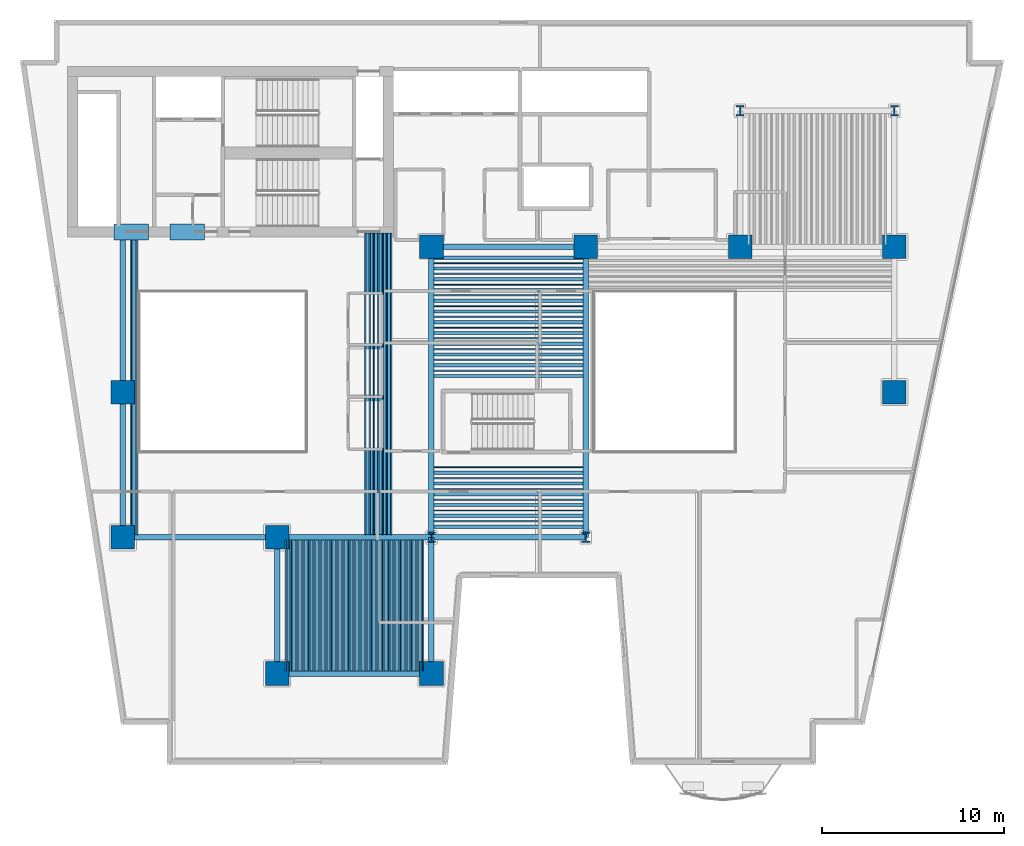
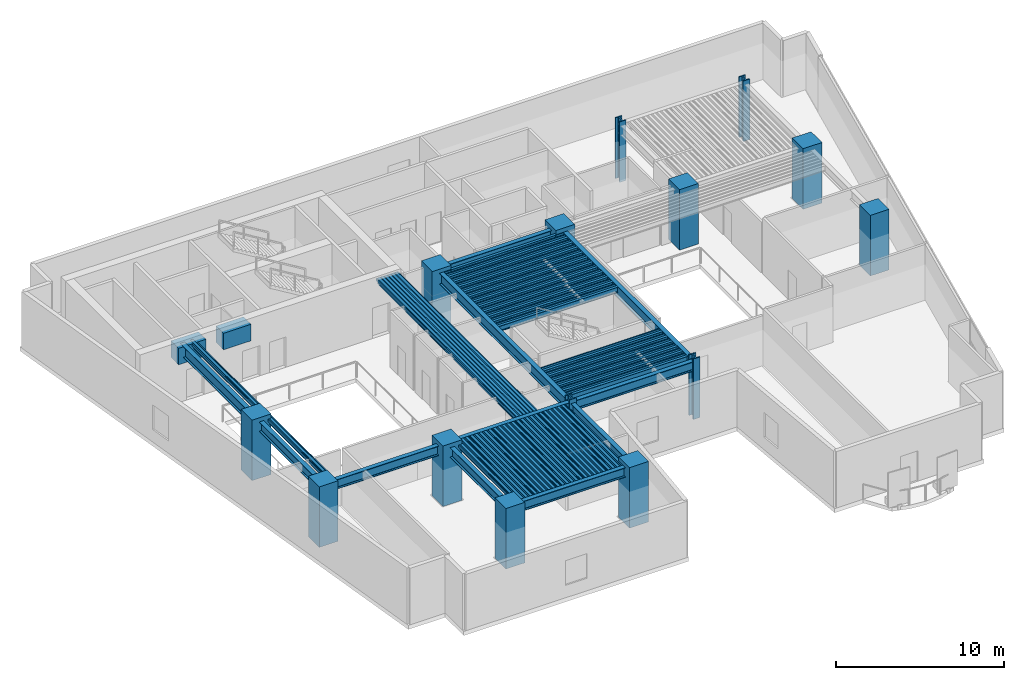
# One storey, part 1 of 11: 113 beams, 14 columns.
"""IFC4 building model written with IfcOpenShell, lengths in metres."""

from ifc_helpers import new_model, si_unit, direction, frame, origin, origin_2d, place, context, subcontext, project, spatial, rectangle, hollow_rectangle, i_section, extrude, material, material_profile, profile_set, type_object, element, save


model = new_model("IFC4")

# Units and contexts
model_context = context("Model", 3, precision=1e-05, world=origin(), true_north=direction((0.0, 1.0)))
body_context = subcontext(model_context, "Body", "Model", "MODEL_VIEW")
ifc_project = project(units=[si_unit("LENGTHUNIT", "METRE"), si_unit("AREAUNIT", "SQUARE_METRE"), si_unit("VOLUMEUNIT", "CUBIC_METRE"), si_unit("PLANEANGLEUNIT", "RADIAN"), si_unit("MASSUNIT", "GRAM", prefix="KILO")], contexts=[model_context])

# Site, building, storey
site_placement = place(None, origin())
site = spatial("IfcSite", under=ifc_project, at=site_placement, CompositionType="ELEMENT")
building_placement = place(site_placement, origin())
building = spatial("IfcBuilding", under=site, at=building_placement, Name="Caeloran Harvest Quay", CompositionType="ELEMENT")
storey_placement = place(building_placement, frame((0.0, 0.0, 53.39990234375)))
storey = spatial("IfcBuildingStorey", under=building, at=storey_placement, Name="L12", CompositionType="ELEMENT", Elevation=53.39990234375)

# Columns
ifc_material_1 = material(Name="Concrete C80/95", Category="concrete")
ifc_material_profile_1 = material_profile(ifc_material_1, rectangle(XDim=1.300048828125, YDim=1.300048828125, at=origin_2d()), Name="RC 1300x1300")
ifc_profile_set_1 = profile_set([ifc_material_profile_1], Name="Concrete C80/95")
column_type_1 = type_object("IfcColumnType", Name="COL-MC-2-RC_1300x1300", PredefinedType="COLUMN", material=ifc_profile_set_1)
for number, where, z_axis, x_axis, name in (
    (1, (8.5, 15.0, 0.0), (0.0, 0.0, 1.0), (1.0, 0.0, 0.0), "L12 Structural Column (8.5, 15.0)"),
    (2, (8.5, 23.0, 0.0), (0.0, 0.0, 1.0), (1.0, 0.0, 0.0), "L12 Structural Column (8.5, 23.0)"),
    (3, (17.0, 7.5, 0.0), (0.0, 0.0, 1.0), (1.0, 0.0, 0.0), "L12 Structural Column (17.0, 7.5)"),
    (4, (17.0, 15.0, 0.0), (0.0, 0.0, 1.0), (1.0, 0.0, 0.0), "L12 Structural Column (17.0, 15.0)"),
    (5, (25.5, 7.5, 0.0), (0.0, 0.0, 1.0), (1.0, 0.0, 0.0), "L12 Structural Column (25.5, 7.5)"),
    (6, (25.5, 31.0, 0.0), (0.0, 0.0, 1.0), (1.0, 0.0, 0.0), "L12 Structural Column (25.5, 31.0)"),
    (7, (34.0, 31.0, 0.0), (0.0, 0.0, 1.0), (1.0, 0.0, 0.0), "L12 Structural Column (34.0, 31.0)"),
    (8, (42.5, 31.0, 0.0), (0.0, 0.0, 1.0), (1.0, 0.0, 0.0), "L12 Structural Column (42.5, 31.0)"),
    (9, (51.0, 23.0, 0.0), (0.0, 0.0, 1.0), (1.0, 0.0, 0.0), "L12 Structural Column (51.0, 23.0)"),
    (10, (51.0, 31.0, 0.0), (0.0, 0.0, 1.0), (1.0, 0.0, 0.0), "L12 Structural Column (51.0, 31.0)"),
):
    element("IfcColumn", number, at=place(storey_placement, frame(where, z_axis=z_axis, x_axis=x_axis)), inside=storey, type_object=column_type_1, Name=name, PredefinedType="COLUMN", context=body_context, shape_type="SweptSolid", body=[
        extrude(rectangle(XDim=1.300048828125, YDim=1.300048828125, at=origin_2d()), origin(), (0.0, 0.0, 1.0), 4.400146484375),
    ])
ifc_material_2 = material(Name="Steel HISTAR 460", Category="steel")
ifc_material_profile_2 = material_profile(ifc_material_2, i_section(OverallWidth=0.4541015625, OverallDepth=0.569091796875, WebThickness=0.077880859375, FlangeThickness=0.080078125, FilletRadius=0.014892578125, at=origin_2d()), Name="HD 400x1086")
ifc_profile_set_2 = profile_set([ifc_material_profile_2], Name="Steel HISTAR 460")
column_type_2 = type_object("IfcColumnType", Name="COL-SC-1-HD_400x1086", PredefinedType="COLUMN", material=ifc_profile_set_2)
for number, where, z_axis, x_axis, name in (
    (11, (25.5, 15.0, 0.0), (0.0, 0.0, 1.0), (1.0, 0.0, 0.0), "L12 Structural Column (25.5, 15.0)"),
    (12, (34.0, 15.0, 0.0), (0.0, 0.0, 1.0), (1.0, 0.0, 0.0), "L12 Structural Column (34.0, 15.0)"),
    (13, (42.5, 38.5, 0.0), (0.0, 0.0, 1.0), (1.0, 0.0, 0.0), "L12 Structural Column (42.5, 38.5)"),
    (14, (51.0, 38.5, 0.0), (0.0, 0.0, 1.0), (1.0, 0.0, 0.0), "L12 Structural Column (51.0, 38.5)"),
):
    element("IfcColumn", number, at=place(storey_placement, frame(where, z_axis=z_axis, x_axis=x_axis)), inside=storey, type_object=column_type_2, Name=name, PredefinedType="COLUMN", context=body_context, shape_type="SweptSolid", body=[
        extrude(i_section(OverallWidth=0.4541015625, OverallDepth=0.569091796875, WebThickness=0.077880859375, FlangeThickness=0.080078125, FilletRadius=0.014892578125, at=origin_2d()), origin(), (0.0, 0.0, 1.0), 4.400146484375),
    ])

# Beams
ifc_material_profile_3 = material_profile(ifc_material_1, rectangle(XDim=0.89990234375, YDim=1.199951171875, at=origin_2d()), Name="RC 900x1200")
ifc_profile_set_3 = profile_set([ifc_material_profile_3], Name="Concrete C80/95")
beam_type_1 = type_object("IfcBeamType", Name="BM-CB-1-RC_900x1200", PredefinedType="LINTEL", material=ifc_profile_set_3)
for number, where, z_axis, x_axis, name in (
    (15, (8.0, 31.824951171875, 3.5), (1.0, 0.0, 0.0), (0.0, 1.0, 0.0), "L12 Core Coupling Beam 1"),
    (16, (11.10009765625, 31.824951171875, 3.5), (1.0, 0.0, 0.0), (0.0, 1.0, 0.0), "L12 Core Coupling Beam 2"),
):
    element("IfcBeam", number, at=place(storey_placement, frame(where, z_axis=z_axis, x_axis=x_axis)), inside=storey, type_object=beam_type_1, Name=name, PredefinedType="LINTEL", context=body_context, shape_type="SweptSolid", body=[
        extrude(rectangle(XDim=0.89990234375, YDim=1.199951171875, at=origin_2d()), origin(), (0.0, 0.0, 1.0), 1.89990234375),
    ])
ifc_material_3 = material(Name="Steel S355J2", Category="steel")
ifc_material_profile_4 = material_profile(ifc_material_3, i_section(OverallWidth=0.300048828125, OverallDepth=0.800048828125, WebThickness=0.017578125, FlangeThickness=0.032958984375, FilletRadius=0.030029296875, at=origin_2d()), Name="HE 800 B")
ifc_profile_set_4 = profile_set([ifc_material_profile_4], Name="Steel S355J2")
beam_type_2 = type_object("IfcBeamType", Name="BM-PG-1-HE_800_B", PredefinedType="BEAM", material=ifc_profile_set_4)
beam_1_placement = place(storey_placement, frame((8.5, 23.0, 3.7001953125), z_axis=(0.0, 1.0, 0.0), x_axis=(-1.0, 0.0, 0.0)))
element("IfcBeam", 17, at=beam_1_placement, inside=storey, type_object=beam_type_2, Name="L12 Core South Tie Girder X=8.5", PredefinedType="BEAM", context=body_context, shape_type="SweptSolid", body=[
    extrude(i_section(OverallWidth=0.300048828125, OverallDepth=0.800048828125, WebThickness=0.017578125, FlangeThickness=0.032958984375, FilletRadius=0.030029296875, at=origin_2d()), origin(), (0.0, 0.0, 1.0), 8.77490234375),
])
for number, where, z_axis, x_axis, name in (
    (18, (25.5, 15.0, 3.7001953125), (0.0, 1.0, 0.0), (-1.0, 0.0, 0.0), "L12 Primary North-South Girder X=25.5"),
    (19, (34.0, 15.0, 3.7001953125), (0.0, 1.0, 0.0), (-1.0, 0.0, 0.0), "L12 Primary North-South Girder X=34.0"),
):
    element("IfcBeam", number, at=place(storey_placement, frame(where, z_axis=z_axis, x_axis=x_axis)), inside=storey, type_object=beam_type_2, Name=name, PredefinedType="BEAM", context=body_context, shape_type="SweptSolid", body=[
        extrude(i_section(OverallWidth=0.300048828125, OverallDepth=0.800048828125, WebThickness=0.017578125, FlangeThickness=0.032958984375, FilletRadius=0.030029296875, at=origin_2d()), origin(), (0.0, 0.0, 1.0), 16.0),
    ])
ifc_material_profile_5 = material_profile(ifc_material_3, i_section(OverallWidth=0.300048828125, OverallDepth=0.699951171875, WebThickness=0.01708984375, FlangeThickness=0.031982421875, FilletRadius=0.027099609375, at=origin_2d()), Name="HE 700 B")
ifc_profile_set_5 = profile_set([ifc_material_profile_5], Name="Steel S355J2")
beam_type_3 = type_object("IfcBeamType", Name="BM-PG-2-HE_700_B", PredefinedType="BEAM", material=ifc_profile_set_5)
for number, where, z_axis, x_axis, name in (
    (20, (17.0, 7.5, 3.75), (1.0, 0.0, 0.0), (0.0, 1.0, 0.0), "L12 Primary East-West Girder Y=7.5"),
    (21, (8.5, 15.0, 3.75), (1.0, 0.0, 0.0), (0.0, 1.0, 0.0), "L12 Primary East-West Girder Y=15.0"),
    (22, (17.0, 15.0, 3.75), (1.0, 0.0, 0.0), (0.0, 1.0, 0.0), "L12 Primary East-West Girder Y=15.0"),
    (23, (25.5, 15.0, 3.75), (1.0, 0.0, 0.0), (0.0, 1.0, 0.0), "L12 Primary East-West Girder Y=15.0"),
    (24, (25.5, 31.0, 3.75), (1.0, 0.0, 0.0), (0.0, 1.0, 0.0), "L12 Primary East-West Girder Y=31.0"),
):
    element("IfcBeam", number, at=place(storey_placement, frame(where, z_axis=z_axis, x_axis=x_axis)), inside=storey, type_object=beam_type_3, Name=name, PredefinedType="BEAM", context=body_context, shape_type="SweptSolid", body=[
        extrude(i_section(OverallWidth=0.300048828125, OverallDepth=0.699951171875, WebThickness=0.01708984375, FlangeThickness=0.031982421875, FilletRadius=0.027099609375, at=origin_2d()), origin(), (0.0, 0.0, 1.0), 8.5),
    ])
beam_2_placement = place(storey_placement, frame((8.5, 15.0, 3.75), z_axis=(0.0, 1.0, 0.0), x_axis=(-1.0, 0.0, 0.0)))
element("IfcBeam", 25, at=beam_2_placement, inside=storey, type_object=beam_type_3, Name="L12 Primary North-South Girder X=8.5", PredefinedType="BEAM", context=body_context, shape_type="SweptSolid", body=[
    extrude(i_section(OverallWidth=0.300048828125, OverallDepth=0.699951171875, WebThickness=0.01708984375, FlangeThickness=0.031982421875, FilletRadius=0.027099609375, at=origin_2d()), origin(), (0.0, 0.0, 1.0), 8.0),
])
for number, where, z_axis, x_axis, name in (
    (26, (17.0, 7.5, 3.75), (0.0, 1.0, 0.0), (-1.0, 0.0, 0.0), "L12 Primary North-South Girder X=17.0"),
    (27, (25.5, 7.5, 3.75), (0.0, 1.0, 0.0), (-1.0, 0.0, 0.0), "L12 Primary North-South Girder X=25.5"),
):
    element("IfcBeam", number, at=place(storey_placement, frame(where, z_axis=z_axis, x_axis=x_axis)), inside=storey, type_object=beam_type_3, Name=name, PredefinedType="BEAM", context=body_context, shape_type="SweptSolid", body=[
        extrude(i_section(OverallWidth=0.300048828125, OverallDepth=0.699951171875, WebThickness=0.01708984375, FlangeThickness=0.031982421875, FilletRadius=0.027099609375, at=origin_2d()), origin(), (0.0, 0.0, 1.0), 7.5),
    ])
ifc_material_profile_6 = material_profile(ifc_material_3, i_section(OverallWidth=0.179931640625, OverallDepth=0.39990234375, WebThickness=0.008544921875, FlangeThickness=0.013427734375, FilletRadius=0.02099609375, at=origin_2d()), Name="IPE 400")
ifc_profile_set_6 = profile_set([ifc_material_profile_6], Name="Steel S355J2")
beam_type_4 = type_object("IfcBeamType", Name="BM-SB-4-IPE_400", PredefinedType="JOIST", material=ifc_profile_set_6)
for number, where, z_axis, x_axis, name in (
    (28, (17.629638671875, 7.64501953125, 3.900146484375), (0.0, 1.0, 0.0), (-1.0, 0.0, 0.0), "L12 Secondary Composite Joist"),
    (29, (17.9443359375, 7.64501953125, 3.900146484375), (0.0, 1.0, 0.0), (-1.0, 0.0, 0.0), "L12 Secondary Composite Joist"),
    (30, (18.25927734375, 7.64501953125, 3.900146484375), (0.0, 1.0, 0.0), (-1.0, 0.0, 0.0), "L12 Secondary Composite Joist"),
    (31, (18.57421875, 7.64501953125, 3.900146484375), (0.0, 1.0, 0.0), (-1.0, 0.0, 0.0), "L12 Secondary Composite Joist"),
    (32, (18.888916015625, 7.64501953125, 3.900146484375), (0.0, 1.0, 0.0), (-1.0, 0.0, 0.0), "L12 Secondary Composite Joist"),
    (33, (19.20361328125, 7.64501953125, 3.900146484375), (0.0, 1.0, 0.0), (-1.0, 0.0, 0.0), "L12 Secondary Composite Joist"),
    (34, (19.5185546875, 7.64501953125, 3.900146484375), (0.0, 1.0, 0.0), (-1.0, 0.0, 0.0), "L12 Secondary Composite Joist"),
    (35, (19.833251953125, 7.64501953125, 3.900146484375), (0.0, 1.0, 0.0), (-1.0, 0.0, 0.0), "L12 Secondary Composite Joist"),
    (36, (20.148193359375, 7.64501953125, 3.900146484375), (0.0, 1.0, 0.0), (-1.0, 0.0, 0.0), "L12 Secondary Composite Joist"),
    (37, (20.462890625, 7.64501953125, 3.900146484375), (0.0, 1.0, 0.0), (-1.0, 0.0, 0.0), "L12 Secondary Composite Joist"),
    (38, (20.77783203125, 7.64501953125, 3.900146484375), (0.0, 1.0, 0.0), (-1.0, 0.0, 0.0), "L12 Secondary Composite Joist"),
    (39, (21.092529296875, 7.64501953125, 3.900146484375), (0.0, 1.0, 0.0), (-1.0, 0.0, 0.0), "L12 Secondary Composite Joist"),
    (40, (21.407470703125, 7.64501953125, 3.900146484375), (0.0, 1.0, 0.0), (-1.0, 0.0, 0.0), "L12 Secondary Composite Joist"),
    (41, (21.72216796875, 7.64501953125, 3.900146484375), (0.0, 1.0, 0.0), (-1.0, 0.0, 0.0), "L12 Secondary Composite Joist"),
    (42, (22.037109375, 7.64501953125, 3.900146484375), (0.0, 1.0, 0.0), (-1.0, 0.0, 0.0), "L12 Secondary Composite Joist"),
    (43, (22.351806640625, 7.64501953125, 3.900146484375), (0.0, 1.0, 0.0), (-1.0, 0.0, 0.0), "L12 Secondary Composite Joist"),
    (44, (22.666748046875, 7.64501953125, 3.900146484375), (0.0, 1.0, 0.0), (-1.0, 0.0, 0.0), "L12 Secondary Composite Joist"),
    (45, (22.9814453125, 7.64501953125, 3.900146484375), (0.0, 1.0, 0.0), (-1.0, 0.0, 0.0), "L12 Secondary Composite Joist"),
    (46, (23.29638671875, 7.64501953125, 3.900146484375), (0.0, 1.0, 0.0), (-1.0, 0.0, 0.0), "L12 Secondary Composite Joist"),
    (47, (23.611083984375, 7.64501953125, 3.900146484375), (0.0, 1.0, 0.0), (-1.0, 0.0, 0.0), "L12 Secondary Composite Joist"),
    (48, (23.92578125, 7.64501953125, 3.900146484375), (0.0, 1.0, 0.0), (-1.0, 0.0, 0.0), "L12 Secondary Composite Joist"),
    (49, (24.24072265625, 7.64501953125, 3.900146484375), (0.0, 1.0, 0.0), (-1.0, 0.0, 0.0), "L12 Secondary Composite Joist"),
    (50, (24.5556640625, 7.64501953125, 3.900146484375), (0.0, 1.0, 0.0), (-1.0, 0.0, 0.0), "L12 Secondary Composite Joist"),
    (51, (24.870361328125, 7.64501953125, 3.900146484375), (0.0, 1.0, 0.0), (-1.0, 0.0, 0.0), "L12 Secondary Composite Joist"),
):
    element("IfcBeam", number, at=place(storey_placement, frame(where, z_axis=z_axis, x_axis=x_axis)), inside=storey, type_object=beam_type_4, Name=name, PredefinedType="JOIST", context=body_context, shape_type="SweptSolid", body=[
        extrude(i_section(OverallWidth=0.179931640625, OverallDepth=0.39990234375, WebThickness=0.008544921875, FlangeThickness=0.013427734375, FilletRadius=0.02099609375, at=origin_2d()), origin(), (0.0, 0.0, 1.0), 7.2099609375),
    ])
for number, where, z_axis, x_axis, name in (
    (52, (9.129638671875, 15.14501953125, 3.900146484375), (0.0, 1.0, 0.0), (-1.0, 0.0, 0.0), "L12 Secondary Composite Joist"),
    (53, (21.977783203125, 15.14501953125, 3.900146484375), (0.0, 1.0, 0.0), (-1.0, 0.0, 0.0), "L12 Secondary Composite Joist"),
    (54, (22.21484375, 15.14501953125, 3.900146484375), (0.0, 1.0, 0.0), (-1.0, 0.0, 0.0), "L12 Secondary Composite Joist"),
    (55, (22.451904296875, 15.14501953125, 3.900146484375), (0.0, 1.0, 0.0), (-1.0, 0.0, 0.0), "L12 Secondary Composite Joist"),
    (56, (22.68896484375, 15.14501953125, 3.900146484375), (0.0, 1.0, 0.0), (-1.0, 0.0, 0.0), "L12 Secondary Composite Joist"),
    (57, (22.92578125, 15.14501953125, 3.900146484375), (0.0, 1.0, 0.0), (-1.0, 0.0, 0.0), "L12 Secondary Composite Joist"),
    (58, (23.1630859375, 15.14501953125, 3.900146484375), (0.0, 1.0, 0.0), (-1.0, 0.0, 0.0), "L12 Secondary Composite Joist"),
):
    element("IfcBeam", number, at=place(storey_placement, frame(where, z_axis=z_axis, x_axis=x_axis)), inside=storey, type_object=beam_type_4, Name=name, PredefinedType="JOIST", context=body_context, shape_type="SweptSolid", body=[
        extrude(i_section(OverallWidth=0.179931640625, OverallDepth=0.39990234375, WebThickness=0.008544921875, FlangeThickness=0.013427734375, FilletRadius=0.02099609375, at=origin_2d()), origin(), (0.0, 0.0, 1.0), 16.6298828125),
    ])
for number, where, z_axis, x_axis, name in (
    (59, (25.64501953125, 15.592529296875, 3.900146484375), (1.0, 0.0, 0.0), (0.0, 1.0, 0.0), "L12 Secondary East-West Composite Joist"),
    (60, (25.64501953125, 16.185302734375, 3.900146484375), (1.0, 0.0, 0.0), (0.0, 1.0, 0.0), "L12 Secondary East-West Composite Joist"),
    (61, (25.64501953125, 16.77783203125, 3.900146484375), (1.0, 0.0, 0.0), (0.0, 1.0, 0.0), "L12 Secondary East-West Composite Joist"),
    (62, (25.64501953125, 17.370361328125, 3.900146484375), (1.0, 0.0, 0.0), (0.0, 1.0, 0.0), "L12 Secondary East-West Composite Joist"),
    (63, (25.64501953125, 17.962890625, 3.900146484375), (1.0, 0.0, 0.0), (0.0, 1.0, 0.0), "L12 Secondary East-West Composite Joist"),
    (64, (25.64501953125, 18.5556640625, 3.900146484375), (1.0, 0.0, 0.0), (0.0, 1.0, 0.0), "L12 Secondary East-West Composite Joist"),
    (65, (25.64501953125, 23.888916015625, 3.900146484375), (1.0, 0.0, 0.0), (0.0, 1.0, 0.0), "L12 Secondary East-West Composite Joist"),
    (66, (25.64501953125, 24.4814453125, 3.900146484375), (1.0, 0.0, 0.0), (0.0, 1.0, 0.0), "L12 Secondary East-West Composite Joist"),
    (67, (25.64501953125, 25.07421875, 3.900146484375), (1.0, 0.0, 0.0), (0.0, 1.0, 0.0), "L12 Secondary East-West Composite Joist"),
    (68, (25.64501953125, 25.666748046875, 3.900146484375), (1.0, 0.0, 0.0), (0.0, 1.0, 0.0), "L12 Secondary East-West Composite Joist"),
    (69, (25.64501953125, 26.25927734375, 3.900146484375), (1.0, 0.0, 0.0), (0.0, 1.0, 0.0), "L12 Secondary East-West Composite Joist"),
    (70, (25.64501953125, 26.851806640625, 3.900146484375), (1.0, 0.0, 0.0), (0.0, 1.0, 0.0), "L12 Secondary East-West Composite Joist"),
    (71, (25.64501953125, 27.4443359375, 3.900146484375), (1.0, 0.0, 0.0), (0.0, 1.0, 0.0), "L12 Secondary East-West Composite Joist"),
    (72, (25.64501953125, 28.037109375, 3.900146484375), (1.0, 0.0, 0.0), (0.0, 1.0, 0.0), "L12 Secondary East-West Composite Joist"),
    (73, (25.64501953125, 28.629638671875, 3.900146484375), (1.0, 0.0, 0.0), (0.0, 1.0, 0.0), "L12 Secondary East-West Composite Joist"),
    (74, (25.64501953125, 29.22216796875, 3.900146484375), (1.0, 0.0, 0.0), (0.0, 1.0, 0.0), "L12 Secondary East-West Composite Joist"),
    (75, (25.64501953125, 29.814697265625, 3.900146484375), (1.0, 0.0, 0.0), (0.0, 1.0, 0.0), "L12 Secondary East-West Composite Joist"),
    (76, (25.64501953125, 30.407470703125, 3.900146484375), (1.0, 0.0, 0.0), (0.0, 1.0, 0.0), "L12 Secondary East-West Composite Joist"),
):
    element("IfcBeam", number, at=place(storey_placement, frame(where, z_axis=z_axis, x_axis=x_axis)), inside=storey, type_object=beam_type_4, Name=name, PredefinedType="JOIST", context=body_context, shape_type="SweptSolid", body=[
        extrude(i_section(OverallWidth=0.179931640625, OverallDepth=0.39990234375, WebThickness=0.008544921875, FlangeThickness=0.013427734375, FilletRadius=0.02099609375, at=origin_2d()), origin(), (0.0, 0.0, 1.0), 8.2099609375),
    ])
ifc_material_profile_7 = material_profile(ifc_material_3, hollow_rectangle(XDim=0.080078125, YDim=0.199951171875, WallThickness=0.006103515625, InnerFilletRadius=0.006103515625, OuterFilletRadius=0.009033203125, at=origin_2d()), Name="RHS 200x80x6")
ifc_profile_set_7 = profile_set([ifc_material_profile_7], Name="Steel S355J2")
beam_type_5 = type_object("IfcBeamType", Name="BM-SB-7-RHS_200x80x6", PredefinedType="JOIST", material=ifc_profile_set_7)
for number, where, z_axis, x_axis, name in (
    (77, (17.47216796875, 7.64501953125, 4.0), (0.0, 1.0, 0.0), (-1.0, 0.0, 0.0), "L12 Secondary Composite Joist"),
    (78, (17.787109375, 7.64501953125, 4.0), (0.0, 1.0, 0.0), (-1.0, 0.0, 0.0), "L12 Secondary Composite Joist"),
    (79, (18.101806640625, 7.64501953125, 4.0), (0.0, 1.0, 0.0), (-1.0, 0.0, 0.0), "L12 Secondary Composite Joist"),
    (80, (18.416748046875, 7.64501953125, 4.0), (0.0, 1.0, 0.0), (-1.0, 0.0, 0.0), "L12 Secondary Composite Joist"),
    (81, (18.7314453125, 7.64501953125, 4.0), (0.0, 1.0, 0.0), (-1.0, 0.0, 0.0), "L12 Secondary Composite Joist"),
    (82, (19.04638671875, 7.64501953125, 4.0), (0.0, 1.0, 0.0), (-1.0, 0.0, 0.0), "L12 Secondary Composite Joist"),
    (83, (19.361083984375, 7.64501953125, 4.0), (0.0, 1.0, 0.0), (-1.0, 0.0, 0.0), "L12 Secondary Composite Joist"),
    (84, (19.67578125, 7.64501953125, 4.0), (0.0, 1.0, 0.0), (-1.0, 0.0, 0.0), "L12 Secondary Composite Joist"),
    (85, (19.99072265625, 7.64501953125, 4.0), (0.0, 1.0, 0.0), (-1.0, 0.0, 0.0), "L12 Secondary Composite Joist"),
    (86, (20.3056640625, 7.64501953125, 4.0), (0.0, 1.0, 0.0), (-1.0, 0.0, 0.0), "L12 Secondary Composite Joist"),
    (87, (20.620361328125, 7.64501953125, 4.0), (0.0, 1.0, 0.0), (-1.0, 0.0, 0.0), "L12 Secondary Composite Joist"),
    (88, (20.935302734375, 7.64501953125, 4.0), (0.0, 1.0, 0.0), (-1.0, 0.0, 0.0), "L12 Secondary Composite Joist"),
    (89, (21.25, 7.64501953125, 4.0), (0.0, 1.0, 0.0), (-1.0, 0.0, 0.0), "L12 Secondary Composite Joist"),
    (90, (21.564697265625, 7.64501953125, 4.0), (0.0, 1.0, 0.0), (-1.0, 0.0, 0.0), "L12 Secondary Composite Joist"),
    (91, (21.879638671875, 7.64501953125, 4.0), (0.0, 1.0, 0.0), (-1.0, 0.0, 0.0), "L12 Secondary Composite Joist"),
    (92, (22.1943359375, 7.64501953125, 4.0), (0.0, 1.0, 0.0), (-1.0, 0.0, 0.0), "L12 Secondary Composite Joist"),
    (93, (22.50927734375, 7.64501953125, 4.0), (0.0, 1.0, 0.0), (-1.0, 0.0, 0.0), "L12 Secondary Composite Joist"),
    (94, (22.82421875, 7.64501953125, 4.0), (0.0, 1.0, 0.0), (-1.0, 0.0, 0.0), "L12 Secondary Composite Joist"),
    (95, (23.138916015625, 7.64501953125, 4.0), (0.0, 1.0, 0.0), (-1.0, 0.0, 0.0), "L12 Secondary Composite Joist"),
    (96, (23.45361328125, 7.64501953125, 4.0), (0.0, 1.0, 0.0), (-1.0, 0.0, 0.0), "L12 Secondary Composite Joist"),
    (97, (23.7685546875, 7.64501953125, 4.0), (0.0, 1.0, 0.0), (-1.0, 0.0, 0.0), "L12 Secondary Composite Joist"),
    (98, (24.083251953125, 7.64501953125, 4.0), (0.0, 1.0, 0.0), (-1.0, 0.0, 0.0), "L12 Secondary Composite Joist"),
    (99, (24.398193359375, 7.64501953125, 4.0), (0.0, 1.0, 0.0), (-1.0, 0.0, 0.0), "L12 Secondary Composite Joist"),
    (100, (24.712890625, 7.64501953125, 4.0), (0.0, 1.0, 0.0), (-1.0, 0.0, 0.0), "L12 Secondary Composite Joist"),
    (101, (25.02783203125, 7.64501953125, 4.0), (0.0, 1.0, 0.0), (-1.0, 0.0, 0.0), "L12 Secondary Composite Joist"),
):
    element("IfcBeam", number, at=place(storey_placement, frame(where, z_axis=z_axis, x_axis=x_axis)), inside=storey, type_object=beam_type_5, Name=name, PredefinedType="JOIST", context=body_context, shape_type="SweptSolid", body=[
        extrude(hollow_rectangle(XDim=0.080078125, YDim=0.199951171875, WallThickness=0.006103515625, InnerFilletRadius=0.006103515625, OuterFilletRadius=0.009033203125, at=origin_2d()), origin(), (0.0, 0.0, 1.0), 7.2099609375),
    ])
for number, where, z_axis, x_axis, name in (
    (102, (8.97216796875, 15.14501953125, 4.0), (0.0, 1.0, 0.0), (-1.0, 0.0, 0.0), "L12 Secondary Composite Joist"),
    (103, (9.287109375, 15.14501953125, 4.0), (0.0, 1.0, 0.0), (-1.0, 0.0, 0.0), "L12 Secondary Composite Joist"),
    (104, (21.859375, 15.14501953125, 4.0), (0.0, 1.0, 0.0), (-1.0, 0.0, 0.0), "L12 Secondary Composite Joist"),
    (105, (22.09619140625, 15.14501953125, 4.0), (0.0, 1.0, 0.0), (-1.0, 0.0, 0.0), "L12 Secondary Composite Joist"),
    (106, (22.333251953125, 15.14501953125, 4.0), (0.0, 1.0, 0.0), (-1.0, 0.0, 0.0), "L12 Secondary Composite Joist"),
    (107, (22.5703125, 15.14501953125, 4.0), (0.0, 1.0, 0.0), (-1.0, 0.0, 0.0), "L12 Secondary Composite Joist"),
    (108, (22.807373046875, 15.14501953125, 4.0), (0.0, 1.0, 0.0), (-1.0, 0.0, 0.0), "L12 Secondary Composite Joist"),
    (109, (23.04443359375, 15.14501953125, 4.0), (0.0, 1.0, 0.0), (-1.0, 0.0, 0.0), "L12 Secondary Composite Joist"),
    (110, (23.281494140625, 15.14501953125, 4.0), (0.0, 1.0, 0.0), (-1.0, 0.0, 0.0), "L12 Secondary Composite Joist"),
):
    element("IfcBeam", number, at=place(storey_placement, frame(where, z_axis=z_axis, x_axis=x_axis)), inside=storey, type_object=beam_type_5, Name=name, PredefinedType="JOIST", context=body_context, shape_type="SweptSolid", body=[
        extrude(hollow_rectangle(XDim=0.080078125, YDim=0.199951171875, WallThickness=0.006103515625, InnerFilletRadius=0.006103515625, OuterFilletRadius=0.009033203125, at=origin_2d()), origin(), (0.0, 0.0, 1.0), 16.6298828125),
    ])
for number, where, z_axis, x_axis, name in (
    (111, (25.64501953125, 15.888916015625, 4.0), (1.0, 0.0, 0.0), (0.0, 1.0, 0.0), "L12 Secondary East-West Composite Joist"),
    (112, (25.64501953125, 16.4814453125, 4.0), (1.0, 0.0, 0.0), (0.0, 1.0, 0.0), "L12 Secondary East-West Composite Joist"),
    (113, (25.64501953125, 17.07421875, 4.0), (1.0, 0.0, 0.0), (0.0, 1.0, 0.0), "L12 Secondary East-West Composite Joist"),
    (114, (25.64501953125, 17.666748046875, 4.0), (1.0, 0.0, 0.0), (0.0, 1.0, 0.0), "L12 Secondary East-West Composite Joist"),
    (115, (25.64501953125, 18.25927734375, 4.0), (1.0, 0.0, 0.0), (0.0, 1.0, 0.0), "L12 Secondary East-West Composite Joist"),
    (116, (25.64501953125, 18.851806640625, 4.0), (1.0, 0.0, 0.0), (0.0, 1.0, 0.0), "L12 Secondary East-West Composite Joist"),
    (117, (25.64501953125, 24.185302734375, 4.0), (1.0, 0.0, 0.0), (0.0, 1.0, 0.0), "L12 Secondary East-West Composite Joist"),
    (118, (25.64501953125, 24.77783203125, 4.0), (1.0, 0.0, 0.0), (0.0, 1.0, 0.0), "L12 Secondary East-West Composite Joist"),
    (119, (25.64501953125, 25.370361328125, 4.0), (1.0, 0.0, 0.0), (0.0, 1.0, 0.0), "L12 Secondary East-West Composite Joist"),
    (120, (25.64501953125, 25.962890625, 4.0), (1.0, 0.0, 0.0), (0.0, 1.0, 0.0), "L12 Secondary East-West Composite Joist"),
    (121, (25.64501953125, 26.5556640625, 4.0), (1.0, 0.0, 0.0), (0.0, 1.0, 0.0), "L12 Secondary East-West Composite Joist"),
    (122, (25.64501953125, 27.148193359375, 4.0), (1.0, 0.0, 0.0), (0.0, 1.0, 0.0), "L12 Secondary East-West Composite Joist"),
    (123, (25.64501953125, 27.74072265625, 4.0), (1.0, 0.0, 0.0), (0.0, 1.0, 0.0), "L12 Secondary East-West Composite Joist"),
    (124, (25.64501953125, 28.333251953125, 4.0), (1.0, 0.0, 0.0), (0.0, 1.0, 0.0), "L12 Secondary East-West Composite Joist"),
    (125, (25.64501953125, 28.92578125, 4.0), (1.0, 0.0, 0.0), (0.0, 1.0, 0.0), "L12 Secondary East-West Composite Joist"),
    (126, (25.64501953125, 29.5185546875, 4.0), (1.0, 0.0, 0.0), (0.0, 1.0, 0.0), "L12 Secondary East-West Composite Joist"),
    (127, (25.64501953125, 30.111083984375, 4.0), (1.0, 0.0, 0.0), (0.0, 1.0, 0.0), "L12 Secondary East-West Composite Joist"),
):
    element("IfcBeam", number, at=place(storey_placement, frame(where, z_axis=z_axis, x_axis=x_axis)), inside=storey, type_object=beam_type_5, Name=name, PredefinedType="JOIST", context=body_context, shape_type="SweptSolid", body=[
        extrude(hollow_rectangle(XDim=0.080078125, YDim=0.199951171875, WallThickness=0.006103515625, InnerFilletRadius=0.006103515625, OuterFilletRadius=0.009033203125, at=origin_2d()), origin(), (0.0, 0.0, 1.0), 8.2099609375),
    ])

save(model, "model.ifc")
